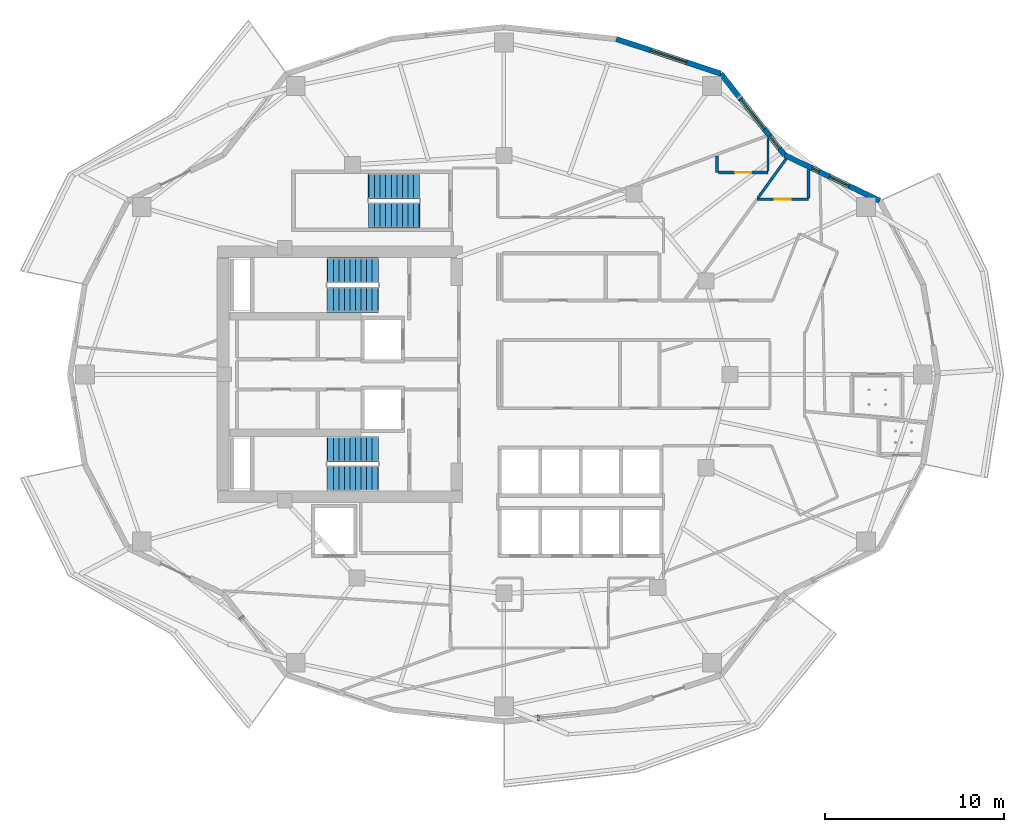
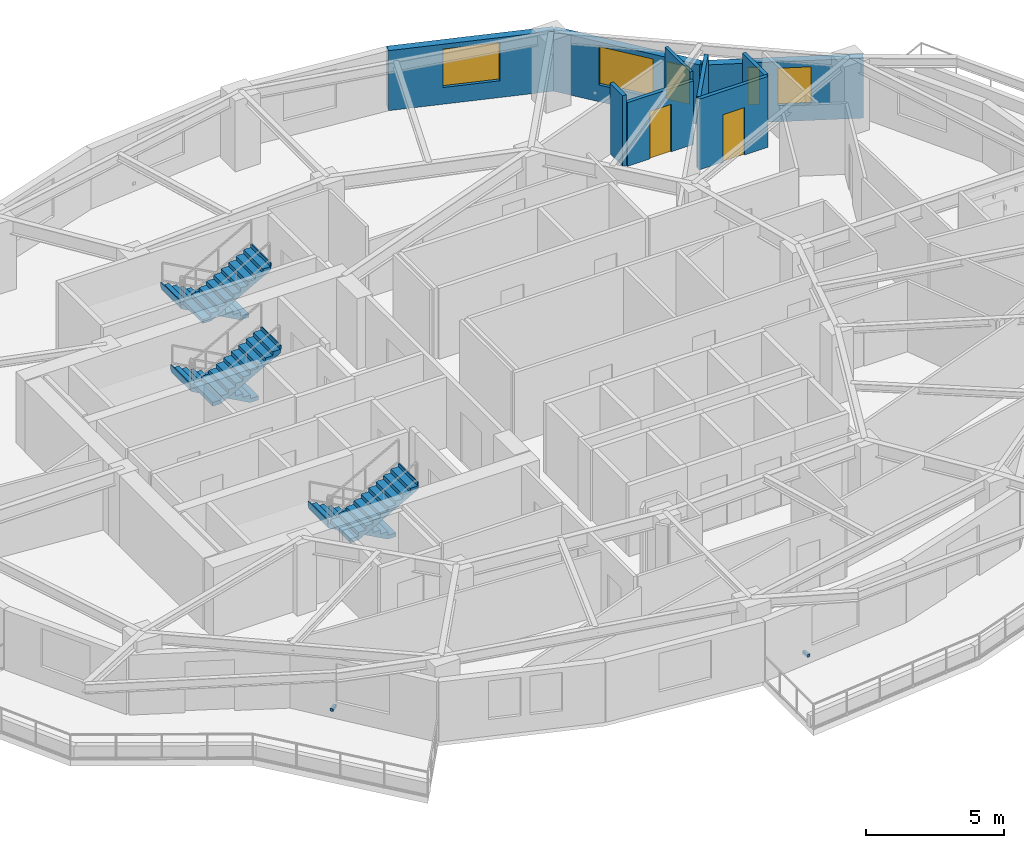
# One storey, part 7 of 14: 9 walls, 6 stair flights, 5 windows, 2 discrete accessories, 2 doors, 7 openings, 3 elements without a shape of their own.
"""IFC4 building model written with IfcOpenShell, lengths in metres."""

from ifc_helpers import new_model, si_unit, direction, frame, frame_2d, origin, origin_2d, place, context, subcontext, project, spatial, polyline, rectangle, outline, extrude, material, layer, layer_set, type_object, element, fill, aggregate, save


model = new_model("IFC4")

# Units and contexts
model_context = context("Model", 3, precision=1e-05, world=origin(), true_north=direction((0.0, 1.0)))
body_context = subcontext(model_context, "Body", "Model", "MODEL_VIEW")
ifc_project = project(units=[si_unit("LENGTHUNIT", "METRE"), si_unit("AREAUNIT", "SQUARE_METRE"), si_unit("VOLUMEUNIT", "CUBIC_METRE"), si_unit("PLANEANGLEUNIT", "RADIAN"), si_unit("MASSUNIT", "GRAM", prefix="KILO")], contexts=[model_context])

# Site, building, storey
site_placement = place(None, origin())
site = spatial("IfcSite", under=ifc_project, at=site_placement, CompositionType="ELEMENT")
building_placement = place(site_placement, origin())
building = spatial("IfcBuilding", under=site, at=building_placement, Name="Kolvaren Gate Tower and Convention Centre", CompositionType="ELEMENT")
storey_placement = place(building_placement, frame((0.0, 0.0, 132.5)))
storey = spatial("IfcBuildingStorey", under=building, at=storey_placement, Name="L33", CompositionType="ELEMENT", Elevation=132.5)

# Wall
ifc_material_1 = material(Name="Fire-Rated Acoustic Gypsum Stud Partition", Category="gypsum")
ifc_layer_1 = layer(ifc_material_1, 0.1201171875)
ifc_layer_set_1 = layer_set([ifc_layer_1], Name="Fire-Rated Acoustic Gypsum Stud Partition")
wall_type_1 = type_object("IfcWallType", Name="ARCH-WL-PART-120", PredefinedType="PARTITIONING", material=ifc_layer_set_1)
wall_1_placement = place(storey_placement, frame((44.85009765625, 38.326904296875, 0.0), z_axis=(0.0, 0.0, 1.0), x_axis=(0.0, 1.0, 0.0)))
element("IfcWall", 1, at=wall_1_placement, inside=storey, type_object=wall_type_1, Name="Interior Partition WL-L33-INT-071", PredefinedType="PARTITIONING", context=body_context, shape_type="SweptSolid", body=[
    extrude(rectangle(XDim=1.822998046875, YDim=0.1201171875, at=frame_2d((0.91162109375, 0.0))), origin(), (0.0, 0.0, 1.0), 3.1298828125),
])

# Wall, openings, windows
ifc_material_2 = material(Name="Piedmont Cream Honed Limestone Cladding", Category="masonry")
ifc_layer_2 = layer(ifc_material_2, 0.300048828125)
ifc_layer_set_2 = layer_set([ifc_layer_2], Name="Piedmont Cream Honed Limestone Cladding")
wall_type_2 = type_object("IfcWallType", Name="ARCH-WL-STONE-300", PredefinedType="SOLIDWALL", material=ifc_layer_set_2)
wall_2_placement = place(storey_placement, frame((45.768798828125, 39.222900390625, 0.0), z_axis=(0.0, 0.0, 1.0), x_axis=(0.901370184739, -0.433049408339, 0.0)))
wall_2 = element("IfcWall", 2, at=wall_2_placement, inside=storey, type_object=wall_type_2, Name="Tower L33 Honed Stone Spandrel Wall EW-02", PredefinedType="SOLIDWALL", context=body_context, shape_type="SweptSolid", body=[
    extrude(rectangle(XDim=5.883544921875, YDim=0.300048828125, at=frame_2d((2.94189453125, 0.0))), origin(), (0.0, 0.0, 1.0), 2.653076171875),
])
opening_1_placement = place(wall_2_placement, frame((2.780029296875, 0.0, 0.719970703125)))
opening_1 = element("IfcOpeningElement", 3, at=opening_1_placement, cuts=wall_2, Name="Opening W-04", PredefinedType="OPENING", context=body_context, shape_type="SweptSolid", body=[
    extrude(rectangle(XDim=1.199951171875, YDim=1.64990234375, at=frame_2d((0.60009765625, 0.824951171875))), frame((0.0, 0.159912109375, 0.0), z_axis=(0.0, -1.0, 0.0), x_axis=(1.0, 0.0, 0.0)), (0.0, 0.0, 1.0), 0.320068359375),
])
opening_2_placement = place(wall_2_placement, frame((1.699951171875, 0.0, 0.719970703125)))
opening_2 = element("IfcOpeningElement", 4, at=opening_2_placement, cuts=wall_2, Name="Opening W-08", PredefinedType="OPENING", context=body_context, shape_type="SweptSolid", body=[
    extrude(rectangle(XDim=0.419921875, YDim=1.64990234375, at=frame_2d((0.2099609375, 0.824951171875))), frame((0.0, 0.159912109375, 0.0), z_axis=(0.0, -1.0, 0.0), x_axis=(1.0, 0.0, 0.0)), (0.0, 0.0, 1.0), 0.320068359375),
])
ifc_material_3 = material(Name="Low-E Triple Insulated Glazing Unit 44 mm", Category="glass")
window_type_1 = type_object("IfcWindowType", Name="ARCH-WN-NARROW-1200", PartitioningType="SINGLE_PANEL", PredefinedType="WINDOW", material=ifc_material_3)
window_1_placement = place(opening_1_placement, origin())
window_1 = element("IfcWindow", 5, at=window_1_placement, inside=storey, type_object=window_type_1, Name="Tower L33 Punched Stone Facade Window W-02", OverallHeight=1.64990234375, OverallWidth=1.199951171875, PartitioningType="SINGLE_PANEL", PredefinedType="WINDOW", context=body_context, shape_type="SweptSolid", body=[
    extrude(rectangle(XDim=1.199951171875, YDim=1.64990234375, at=frame_2d((0.60009765625, 0.824951171875))), frame((0.0, 0.030029296875, 0.0), z_axis=(0.0, -1.0, 0.0), x_axis=(1.0, 0.0, 0.0)), (0.0, 0.0, 1.0), 0.06005859375),
])
fill(opening_1, window_1)
window_type_2 = type_object("IfcWindowType", Name="ARCH-WN-SLOT-550", PartitioningType="SINGLE_PANEL", PredefinedType="WINDOW", material=ifc_material_3)
window_2_placement = place(opening_2_placement, origin())
window_2 = element("IfcWindow", 6, at=window_2_placement, inside=storey, type_object=window_type_2, Name="Tower L33 Dwelling Daylight Window DW-02", OverallHeight=1.64990234375, OverallWidth=0.419921875, PartitioningType="SINGLE_PANEL", PredefinedType="WINDOW", context=body_context, shape_type="SweptSolid", body=[
    extrude(rectangle(XDim=0.419921875, YDim=1.64990234375, at=frame_2d((0.2099609375, 0.824951171875))), frame((0.0, 0.030029296875, 0.0), z_axis=(0.0, -1.0, 0.0), x_axis=(1.0, 0.0, 0.0)), (0.0, 0.0, 1.0), 0.06005859375),
])
fill(opening_2, window_2)

wall_3_placement = place(storey_placement, frame((42.21875, 43.757568359375, 0.0), z_axis=(0.0, 0.0, 1.0), x_axis=(0.616435134162, -0.787405693001, 0.0)))
wall_3 = element("IfcWall", 7, at=wall_3_placement, inside=storey, type_object=wall_type_2, Name="Tower L33 Honed Stone Spandrel Wall EW-03", PredefinedType="SOLIDWALL", context=body_context, shape_type="SweptSolid", body=[
    extrude(rectangle(XDim=5.759033203125, YDim=0.300048828125, at=frame_2d((2.87939453125, 0.0))), origin(), (0.0, 0.0, 1.0), 2.653076171875),
])
opening_3_placement = place(wall_3_placement, frame((1.8291015625, 0.0, 0.739990234375)))
opening_3 = element("IfcOpeningElement", 8, at=opening_3_placement, cuts=wall_3, Name="Opening W-02", PredefinedType="OPENING", context=body_context, shape_type="SweptSolid", body=[
    extrude(rectangle(XDim=2.10009765625, YDim=1.699951171875, at=frame_2d((1.050048828125, 0.85009765625))), frame((0.0, 0.159912109375, 0.0), z_axis=(0.0, -1.0, 0.0), x_axis=(1.0, 0.0, 0.0)), (0.0, 0.0, 1.0), 0.320068359375),
])
opening_4_placement = place(wall_3_placement, frame((4.419921875, 0.0, 0.719970703125)))
opening_4 = element("IfcOpeningElement", 9, at=opening_4_placement, cuts=wall_3, Name="Opening W-06", PredefinedType="OPENING", context=body_context, shape_type="SweptSolid", body=[
    extrude(rectangle(XDim=0.89990234375, YDim=1.64990234375, at=frame_2d((0.449951171875, 0.824951171875))), frame((0.0, 0.159912109375, 0.0), z_axis=(0.0, -1.0, 0.0), x_axis=(1.0, 0.0, 0.0)), (0.0, 0.0, 1.0), 0.320068359375),
])
window_type_3 = type_object("IfcWindowType", Name="ARCH-WN-HTL-2100", PartitioningType="SINGLE_PANEL", PredefinedType="WINDOW", material=ifc_material_3)
window_3_placement = place(opening_3_placement, origin())
window_3 = element("IfcWindow", 10, at=window_3_placement, inside=storey, type_object=window_type_3, Name="Tower L33 Punched Stone Facade Window W-03", OverallHeight=1.699951171875, OverallWidth=2.10009765625, PartitioningType="SINGLE_PANEL", PredefinedType="WINDOW", context=body_context, shape_type="SweptSolid", body=[
    extrude(rectangle(XDim=2.10009765625, YDim=1.699951171875, at=frame_2d((1.050048828125, 0.85009765625))), frame((0.0, 0.030029296875, 0.0), z_axis=(0.0, -1.0, 0.0), x_axis=(1.0, 0.0, 0.0)), (0.0, 0.0, 1.0), 0.06005859375),
])
fill(opening_3, window_3)
window_type_4 = type_object("IfcWindowType", Name="ARCH-WN-PUNCH-900", PartitioningType="SINGLE_PANEL", PredefinedType="WINDOW", material=ifc_material_3)
window_4_placement = place(opening_4_placement, origin())
window_4 = element("IfcWindow", 11, at=window_4_placement, inside=storey, type_object=window_type_4, Name="Tower L33 Dwelling Daylight Window DW-03", OverallHeight=1.64990234375, OverallWidth=0.89990234375, PartitioningType="SINGLE_PANEL", PredefinedType="WINDOW", context=body_context, shape_type="SweptSolid", body=[
    extrude(rectangle(XDim=0.89990234375, YDim=1.64990234375, at=frame_2d((0.449951171875, 0.824951171875))), frame((0.0, 0.030029296875, 0.0), z_axis=(0.0, -1.0, 0.0), x_axis=(1.0, 0.0, 0.0)), (0.0, 0.0, 1.0), 0.06005859375),
])
fill(opening_4, window_4)

# Wall, opening, window
wall_4_placement = place(storey_placement, frame((36.38525390625, 45.690673828125, 0.0), z_axis=(0.0, 0.0, 1.0), x_axis=(0.949238009374, -0.314558741032, 0.0)))
wall_4 = element("IfcWall", 12, at=wall_4_placement, inside=storey, type_object=wall_type_2, Name="Tower L33 Honed Stone Spandrel Wall EW-04", PredefinedType="SOLIDWALL", context=body_context, shape_type="SweptSolid", body=[
    extrude(rectangle(XDim=6.1455078125, YDim=0.300048828125, at=frame_2d((3.07275390625, 0.0))), origin(), (0.0, 0.0, 1.0), 2.653076171875),
])
opening_5_placement = place(wall_4_placement, frame((2.02294921875, 0.0, 0.739990234375)))
opening_5 = element("IfcOpeningElement", 13, at=opening_5_placement, cuts=wall_4, Name="Opening W-02", PredefinedType="OPENING", context=body_context, shape_type="SweptSolid", body=[
    extrude(rectangle(XDim=2.10009765625, YDim=1.699951171875, at=frame_2d((1.050048828125, 0.85009765625))), frame((0.0, 0.159912109375, 0.0), z_axis=(0.0, -1.0, 0.0), x_axis=(1.0, 0.0, 0.0)), (0.0, 0.0, 1.0), 0.320068359375),
])
window_5_placement = place(opening_5_placement, origin())
window_5 = element("IfcWindow", 14, at=window_5_placement, inside=storey, type_object=window_type_3, Name="Tower L33 Punched Stone Facade Window W-04", OverallHeight=1.699951171875, OverallWidth=2.10009765625, PartitioningType="SINGLE_PANEL", PredefinedType="WINDOW", context=body_context, shape_type="SweptSolid", body=[
    extrude(rectangle(XDim=2.10009765625, YDim=1.699951171875, at=frame_2d((1.050048828125, 0.85009765625))), frame((0.0, 0.030029296875, 0.0), z_axis=(0.0, -1.0, 0.0), x_axis=(1.0, 0.0, 0.0)), (0.0, 0.0, 1.0), 0.06005859375),
])
fill(opening_5, window_5)

# Wall, opening, door
ifc_material_4 = material(Name="Moisture-Resistant Cement-Board Acoustic Partition", Category="gypsum")
ifc_layer_3 = layer(ifc_material_4, 0.14990234375)
ifc_layer_set_3 = layer_set([ifc_layer_3], Name="Moisture-Resistant Cement-Board Acoustic Partition")
wall_type_3 = type_object("IfcWallType", Name="ARCH-WL-WET-150", PredefinedType="PARTITIONING", material=ifc_layer_set_3)
wall_5_placement = place(storey_placement, frame((44.22509765625, 36.75, 0.0), z_axis=(0.0, 0.0, 1.0), x_axis=(1.0, 0.0, 0.0)))
wall_5 = element("IfcWall", 15, at=wall_5_placement, inside=storey, type_object=wall_type_3, Name="Interior Partition WL-L33-INT-064", PredefinedType="PARTITIONING", context=body_context, shape_type="SweptSolid", body=[
    extrude(rectangle(XDim=2.875, YDim=0.14990234375, at=frame_2d((1.4375, 0.0))), origin(), (0.0, 0.0, 1.0), 3.1298828125),
])
opening_6_placement = place(wall_5_placement, frame((0.987548828125, 0.0, 0.0)))
opening_6 = element("IfcOpeningElement", 16, at=opening_6_placement, cuts=wall_5, Name="Opening DW-01", PredefinedType="OPENING", context=body_context, shape_type="SweptSolid", body=[
    extrude(rectangle(XDim=0.89990234375, YDim=2.10009765625, at=frame_2d((0.449951171875, 1.050048828125))), frame((0.0, 0.0849609375, 0.0), z_axis=(0.0, -1.0, 0.0), x_axis=(1.0, 0.0, 0.0)), (0.0, 0.0, 1.0), 0.169921875),
])
ifc_material_5 = material(Name="FSC Andean Oak Engineered Veneer Door Leaf", Category="wood")
door_type = type_object("IfcDoorType", Name="ARCH-DR-WC-900", OperationType="SINGLE_SWING_RIGHT", PredefinedType="DOOR", material=ifc_material_5)
door_1_placement = place(opening_6_placement, origin())
door_1 = element("IfcDoor", 17, at=door_1_placement, inside=storey, type_object=door_type, Name="En-suite Bathroom (HTL-L33-08) Door", OperationType="SINGLE_SWING_LEFT", OverallHeight=2.10009765625, OverallWidth=0.89990234375, PredefinedType="DOOR", context=body_context, shape_type="SweptSolid", body=[
    extrude(rectangle(XDim=0.89990234375, YDim=2.10009765625, at=frame_2d((0.449951171875, 1.050048828125))), frame((0.0, 0.02490234375, 0.0), z_axis=(0.0, -1.0, 0.0), x_axis=(1.0, 0.0, 0.0)), (0.0, 0.0, 1.0), 0.050048828125),
])
fill(opening_6, door_1)

# Walls
wall_6_placement = place(storey_placement, frame((47.10009765625, 36.826904296875, 0.0), z_axis=(0.0, 0.0, 1.0), x_axis=(0.0, 1.0, 0.0)))
element("IfcWall", 18, at=wall_6_placement, inside=storey, type_object=wall_type_3, Name="Interior Partition WL-L33-INT-065", PredefinedType="PARTITIONING", context=body_context, shape_type="SweptSolid", body=[
    extrude(rectangle(XDim=1.587890625, YDim=0.14990234375, at=frame_2d((0.7939453125, 0.0))), origin(), (0.0, 0.0, 1.0), 3.1298828125),
])
wall_7_placement = place(storey_placement, frame((44.280517578125, 36.826904296875, 0.0), z_axis=(0.0, 0.0, 1.0), x_axis=(0.585301978725, 0.810815388175, 0.0)))
element("IfcWall", 19, at=wall_7_placement, inside=storey, type_object=wall_type_3, Name="Interior Partition WL-L33-INT-066 (2)", PredefinedType="PARTITIONING", context=body_context, shape_type="SweptSolid", body=[
    extrude(rectangle(XDim=2.694580078125, YDim=0.14990234375, at=frame_2d((1.34716796875, 0.0))), origin(), (0.0, 0.0, 1.0), 3.1298828125),
])
wall_8_placement = place(storey_placement, frame((42.0, 38.25, 0.0), z_axis=(0.0, 0.0, 1.0), x_axis=(0.0, 1.0, 0.0)))
element("IfcWall", 20, at=wall_8_placement, inside=storey, type_object=wall_type_3, Name="Interior Partition WL-L33-INT-069", PredefinedType="PARTITIONING", context=body_context, shape_type="SweptSolid", body=[
    extrude(rectangle(XDim=0.927001953125, YDim=0.14990234375, at=frame_2d((0.46337890625, 0.0))), origin(), (0.0, 0.0, 1.0), 3.1298828125),
])

# Wall, opening, door
wall_9_placement = place(storey_placement, frame((42.076904296875, 38.25, 0.0), z_axis=(0.0, 0.0, 1.0), x_axis=(1.0, 0.0, 0.0)))
wall_9 = element("IfcWall", 21, at=wall_9_placement, inside=storey, type_object=wall_type_3, Name="Interior Partition WL-L33-INT-070", PredefinedType="PARTITIONING", context=body_context, shape_type="SweptSolid", body=[
    extrude(rectangle(XDim=2.773193359375, YDim=0.14990234375, at=frame_2d((1.38671875, 0.0))), origin(), (0.0, 0.0, 1.0), 2.81201171875),
])
opening_7_placement = place(wall_9_placement, frame((0.9365234375, 0.0, 0.0)))
opening_7 = element("IfcOpeningElement", 22, at=opening_7_placement, cuts=wall_9, Name="Opening DW-01", PredefinedType="OPENING", context=body_context, shape_type="SweptSolid", body=[
    extrude(rectangle(XDim=0.89990234375, YDim=2.10009765625, at=frame_2d((0.449951171875, 1.050048828125))), frame((0.0, 0.0849609375, 0.0), z_axis=(0.0, -1.0, 0.0), x_axis=(1.0, 0.0, 0.0)), (0.0, 0.0, 1.0), 0.169921875),
])
door_2_placement = place(opening_7_placement, origin())
door_2 = element("IfcDoor", 23, at=door_2_placement, inside=storey, type_object=door_type, Name="En-suite Bathroom (HTL-L33-09) Door", OperationType="SINGLE_SWING_RIGHT", OverallHeight=2.10009765625, OverallWidth=0.89990234375, PredefinedType="DOOR", context=body_context, shape_type="SweptSolid", body=[
    extrude(rectangle(XDim=0.89990234375, YDim=2.10009765625, at=frame_2d((0.449951171875, 1.050048828125))), frame((0.0, 0.02490234375, 0.0), z_axis=(0.0, -1.0, 0.0), x_axis=(1.0, 0.0, 0.0)), (0.0, 0.0, 1.0), 0.050048828125),
])
fill(opening_7, door_2)

# Stair, stair flights
ifc_material_6 = material(Name="Concrete C50/60", Category="concrete")
stair_type = type_object("IfcStairType", Name="STR-STAIR-CORE", PredefinedType="HALF_TURN_STAIR", material=ifc_material_6)
stair_1_placement = place(storey_placement, origin())
stair_1 = element("IfcStair", 24, at=stair_1_placement, inside=storey, type_object=stair_type, Name="L33 Tower North Exit Stair ST-T1", PredefinedType="HALF_TURN_STAIR")
stair_flight_type = type_object("IfcStairFlightType", Name="STR-SFL-1420", PredefinedType="STRAIGHT", material=ifc_material_6)
stair_flight_1_placement = place(storey_placement, frame((23.10009765625, 32.7900390625, 0.0), z_axis=(0.0, 0.0, 1.0), x_axis=(-1.0, 0.0, 0.0)))
stair_flight_1 = element("IfcStairFlight", 25, at=stair_flight_1_placement, type_object=stair_flight_type, Name="ST-T1 flight 1", NumberOfRisers=10, NumberOfTreads=9, PredefinedType="STRAIGHT", RiserHeight=0.17, TreadLength=0.31, context=body_context, shape_type="SweptSolid", body=[
    extrude(outline(polyline([(-0.034912109375, 0.0), (-0.034912109375, 0.169921875), (0.31005859375, 0.169921875), (0.31005859375, 0.340087890625), (0.6201171875, 0.340087890625), (0.6201171875, 0.510009765625), (0.929931640625, 0.510009765625), (0.929931640625, 0.679931640625), (1.239990234375, 0.679931640625), (1.239990234375, 0.85009765625), (1.550048828125, 0.85009765625), (1.550048828125, 1.02001953125), (1.860107421875, 1.02001953125), (1.860107421875, 1.18994140625), (2.169921875, 1.18994140625), (2.169921875, 1.360107421875), (2.47998046875, 1.360107421875), (2.47998046875, 1.530029296875), (2.7900390625, 1.530029296875), (2.7900390625, 1.699951171875), (2.8349609375, 1.699951171875), (2.8349609375, 1.5400390625), (2.7900390625, 1.359130859375), (0.311767578125, 0.0), (-0.034912109375, 0.0)])), frame((0.0, 0.7099609375, 0.0), z_axis=(0.0, -1.0, 0.0), x_axis=(1.0, 0.0, 0.0)), (0.0, 0.0, 1.0), 1.419921875),
])
stair_flight_2_placement = place(storey_placement, frame((20.31005859375, 31.169921875, 1.699951171875), z_axis=(0.0, 0.0, 1.0), x_axis=(1.0, 0.0, 0.0)))
stair_flight_2 = element("IfcStairFlight", 26, at=stair_flight_2_placement, type_object=stair_flight_type, Name="ST-T1 flight 2", NumberOfRisers=10, NumberOfTreads=9, PredefinedType="STRAIGHT", RiserHeight=0.17, TreadLength=0.31, context=body_context, shape_type="SweptSolid", body=[
    extrude(outline(polyline([(-0.034912109375, 0.0), (-0.034912109375, 0.169921875), (0.31005859375, 0.169921875), (0.31005859375, 0.340087890625), (0.6201171875, 0.340087890625), (0.6201171875, 0.510009765625), (0.929931640625, 0.510009765625), (0.929931640625, 0.679931640625), (1.239990234375, 0.679931640625), (1.239990234375, 0.85009765625), (1.550048828125, 0.85009765625), (1.550048828125, 1.02001953125), (1.860107421875, 1.02001953125), (1.860107421875, 1.18994140625), (2.169921875, 1.18994140625), (2.169921875, 1.360107421875), (2.47998046875, 1.360107421875), (2.47998046875, 1.530029296875), (2.7900390625, 1.530029296875), (2.7900390625, 1.699951171875), (2.8349609375, 1.699951171875), (2.8349609375, 1.5400390625), (2.7900390625, 1.359130859375), (0.311767578125, 0.0), (-0.034912109375, 0.0)])), frame((0.0, 0.7099609375, 0.0), z_axis=(0.0, -1.0, 0.0), x_axis=(1.0, 0.0, 0.0)), (0.0, 0.0, 1.0), 1.419921875),
])
aggregate(stair_1, [stair_flight_1, stair_flight_2])

stair_2_placement = place(storey_placement, origin())
stair_2 = element("IfcStair", 27, at=stair_2_placement, inside=storey, type_object=stair_type, Name="L33 Tower South Exit Stair ST-T2", PredefinedType="HALF_TURN_STAIR")
stair_flight_3_placement = place(storey_placement, frame((23.10009765625, 22.830078125, 0.0), z_axis=(0.0, 0.0, 1.0), x_axis=(-1.0, 0.0, 0.0)))
stair_flight_3 = element("IfcStairFlight", 28, at=stair_flight_3_placement, type_object=stair_flight_type, Name="ST-T2 flight 1", NumberOfRisers=10, NumberOfTreads=9, PredefinedType="STRAIGHT", RiserHeight=0.17, TreadLength=0.31, context=body_context, shape_type="SweptSolid", body=[
    extrude(outline(polyline([(-0.034912109375, 0.0), (-0.034912109375, 0.169921875), (0.31005859375, 0.169921875), (0.31005859375, 0.340087890625), (0.6201171875, 0.340087890625), (0.6201171875, 0.510009765625), (0.929931640625, 0.510009765625), (0.929931640625, 0.679931640625), (1.239990234375, 0.679931640625), (1.239990234375, 0.85009765625), (1.550048828125, 0.85009765625), (1.550048828125, 1.02001953125), (1.860107421875, 1.02001953125), (1.860107421875, 1.18994140625), (2.169921875, 1.18994140625), (2.169921875, 1.360107421875), (2.47998046875, 1.360107421875), (2.47998046875, 1.530029296875), (2.7900390625, 1.530029296875), (2.7900390625, 1.699951171875), (2.8349609375, 1.699951171875), (2.8349609375, 1.5400390625), (2.7900390625, 1.359130859375), (0.311767578125, 0.0), (-0.034912109375, 0.0)])), frame((0.0, 0.7099609375, 0.0), z_axis=(0.0, -1.0, 0.0), x_axis=(1.0, 0.0, 0.0)), (0.0, 0.0, 1.0), 1.419921875),
])
stair_flight_4_placement = place(storey_placement, frame((20.31005859375, 21.2099609375, 1.699951171875), z_axis=(0.0, 0.0, 1.0), x_axis=(1.0, 0.0, 0.0)))
stair_flight_4 = element("IfcStairFlight", 29, at=stair_flight_4_placement, type_object=stair_flight_type, Name="ST-T2 flight 2", NumberOfRisers=10, NumberOfTreads=9, PredefinedType="STRAIGHT", RiserHeight=0.17, TreadLength=0.31, context=body_context, shape_type="SweptSolid", body=[
    extrude(outline(polyline([(-0.034912109375, 0.0), (-0.034912109375, 0.169921875), (0.31005859375, 0.169921875), (0.31005859375, 0.340087890625), (0.6201171875, 0.340087890625), (0.6201171875, 0.510009765625), (0.929931640625, 0.510009765625), (0.929931640625, 0.679931640625), (1.239990234375, 0.679931640625), (1.239990234375, 0.85009765625), (1.550048828125, 0.85009765625), (1.550048828125, 1.02001953125), (1.860107421875, 1.02001953125), (1.860107421875, 1.18994140625), (2.169921875, 1.18994140625), (2.169921875, 1.360107421875), (2.47998046875, 1.360107421875), (2.47998046875, 1.530029296875), (2.7900390625, 1.530029296875), (2.7900390625, 1.699951171875), (2.8349609375, 1.699951171875), (2.8349609375, 1.5400390625), (2.7900390625, 1.359130859375), (0.311767578125, 0.0), (-0.034912109375, 0.0)])), frame((0.0, 0.7099609375, 0.0), z_axis=(0.0, -1.0, 0.0), x_axis=(1.0, 0.0, 0.0)), (0.0, 0.0, 1.0), 1.419921875),
])
aggregate(stair_2, [stair_flight_3, stair_flight_4])

stair_3_placement = place(storey_placement, origin())
stair_3 = element("IfcStair", 30, at=stair_3_placement, inside=storey, type_object=stair_type, Name="L33 Tower Mid-Zone Exit Stair ST-T3", PredefinedType="HALF_TURN_STAIR")
stair_flight_5_placement = place(storey_placement, frame((25.39990234375, 37.489990234375, 0.0), z_axis=(0.0, 0.0, 1.0), x_axis=(-1.0, 0.0, 0.0)))
stair_flight_5 = element("IfcStairFlight", 31, at=stair_flight_5_placement, type_object=stair_flight_type, Name="ST-T3 flight 1", NumberOfRisers=10, NumberOfTreads=9, PredefinedType="STRAIGHT", RiserHeight=0.17, TreadLength=0.31, context=body_context, shape_type="SweptSolid", body=[
    extrude(outline(polyline([(-0.034912109375, 0.0), (-0.034912109375, 0.169921875), (0.31005859375, 0.169921875), (0.31005859375, 0.340087890625), (0.6201171875, 0.340087890625), (0.6201171875, 0.510009765625), (0.929931640625, 0.510009765625), (0.929931640625, 0.679931640625), (1.239990234375, 0.679931640625), (1.239990234375, 0.85009765625), (1.550048828125, 0.85009765625), (1.550048828125, 1.02001953125), (1.860107421875, 1.02001953125), (1.860107421875, 1.18994140625), (2.169921875, 1.18994140625), (2.169921875, 1.360107421875), (2.47998046875, 1.360107421875), (2.47998046875, 1.530029296875), (2.7900390625, 1.530029296875), (2.7900390625, 1.699951171875), (2.8349609375, 1.699951171875), (2.8349609375, 1.5400390625), (2.7900390625, 1.359130859375), (0.311767578125, 0.0), (-0.034912109375, 0.0)])), frame((0.0, 0.7099609375, 0.0), z_axis=(0.0, -1.0, 0.0), x_axis=(1.0, 0.0, 0.0)), (0.0, 0.0, 1.0), 1.419921875),
])
stair_flight_6_placement = place(storey_placement, frame((22.610107421875, 35.8701171875, 1.699951171875), z_axis=(0.0, 0.0, 1.0), x_axis=(1.0, 0.0, 0.0)))
stair_flight_6 = element("IfcStairFlight", 32, at=stair_flight_6_placement, type_object=stair_flight_type, Name="ST-T3 flight 2", NumberOfRisers=10, NumberOfTreads=9, PredefinedType="STRAIGHT", RiserHeight=0.17, TreadLength=0.31, context=body_context, shape_type="SweptSolid", body=[
    extrude(outline(polyline([(-0.034912109375, 0.0), (-0.034912109375, 0.169921875), (0.31005859375, 0.169921875), (0.31005859375, 0.340087890625), (0.6201171875, 0.340087890625), (0.6201171875, 0.510009765625), (0.929931640625, 0.510009765625), (0.929931640625, 0.679931640625), (1.239990234375, 0.679931640625), (1.239990234375, 0.85009765625), (1.550048828125, 0.85009765625), (1.550048828125, 1.02001953125), (1.860107421875, 1.02001953125), (1.860107421875, 1.18994140625), (2.169921875, 1.18994140625), (2.169921875, 1.360107421875), (2.47998046875, 1.360107421875), (2.47998046875, 1.530029296875), (2.7900390625, 1.530029296875), (2.7900390625, 1.699951171875), (2.8349609375, 1.699951171875), (2.8349609375, 1.5400390625), (2.7900390625, 1.359130859375), (0.311767578125, 0.0), (-0.034912109375, 0.0)])), frame((0.0, 0.7099609375, 0.0), z_axis=(0.0, -1.0, 0.0), x_axis=(1.0, 0.0, 0.0)), (0.0, 0.0, 1.0), 1.419921875),
])
aggregate(stair_3, [stair_flight_5, stair_flight_6])

# Discrete accessories
ifc_material_7 = material(Name="Anodized Architectural Aluminium Alloy 6063-T6", Category="aluminium")
discrete_accessory_type = type_object("IfcDiscreteAccessoryType", Name="ARCH-ACC-BRACKET-120", PredefinedType="BRACKET", material=ifc_material_7)
for number, where, z_axis, x_axis, name in (
    (33, (15.510009765625, 13.462890625, 0.2900390625), (0.0, 0.0, 1.0), (0.616424499081, -0.787414018756, 0.0), "Ceramic Fin Wall Anchor Bracket FBK-L33-15"),
    (34, (32.05126953125, 7.852783203125, 0.2900390625), (0.0, 0.0, 1.0), (0.994499981166, 0.104736753152, 0.0), "Ceramic Fin Wall Anchor Bracket FBK-L33-18"),
):
    element("IfcDiscreteAccessory", number, at=place(storey_placement, frame(where, z_axis=z_axis, x_axis=x_axis)), inside=storey, type_object=discrete_accessory_type, Name=name, PredefinedType="BRACKET", context=body_context, shape_type="SweptSolid", body=[
        extrude(rectangle(XDim=0.1201171875, YDim=0.320068359375, at=origin_2d()), origin(), (0.0, 0.0, 1.0), 0.1201171875),
    ])

save(model, "model.ifc")
